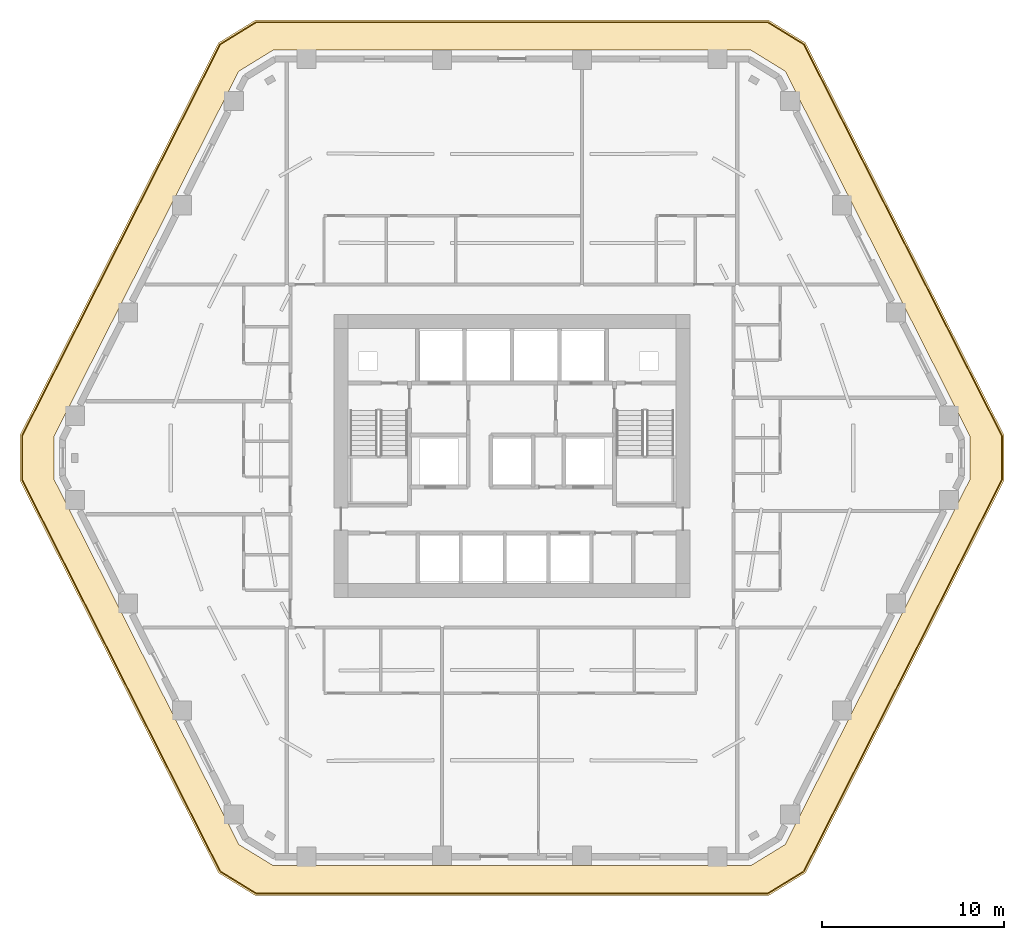
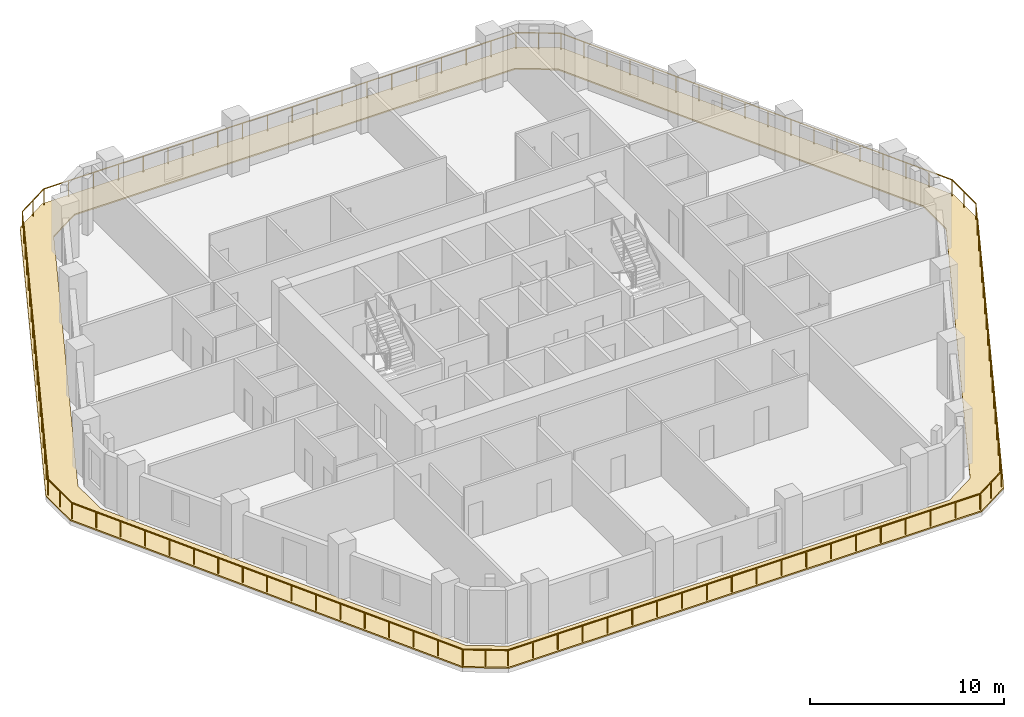
# One storey, part 9 of 10: 1 covering, 1 railing.
"""IFC4 building model written with IfcOpenShell, lengths in metres."""

from ifc_helpers import new_model, si_unit, direction, frame, origin, origin_2d, place, context, subcontext, project, spatial, polyline, rectangle, outline, extrude, material, layer, layer_set, type_object, element, save


model = new_model("IFC4")

# Units and contexts
model_context = context("Model", 3, precision=1e-05, world=origin(), true_north=direction((0.0, 1.0)))
body_context = subcontext(model_context, "Body", "Model", "MODEL_VIEW")
ifc_project = project(units=[si_unit("LENGTHUNIT", "METRE"), si_unit("AREAUNIT", "SQUARE_METRE"), si_unit("VOLUMEUNIT", "CUBIC_METRE"), si_unit("PLANEANGLEUNIT", "RADIAN"), si_unit("MASSUNIT", "GRAM", prefix="KILO")], contexts=[model_context])

# Site, building, storey
site_placement = place(None, origin())
site = spatial("IfcSite", under=ifc_project, at=site_placement, CompositionType="ELEMENT")
building_placement = place(site_placement, origin())
building = spatial("IfcBuilding", under=site, at=building_placement, Name="Cinnabar Lancet Tower", CompositionType="ELEMENT")
storey_placement = place(building_placement, frame((0.0, 0.0, 98.39990234375)))
storey = spatial("IfcBuildingStorey", under=building, at=storey_placement, Name="L25", CompositionType="ELEMENT", Elevation=98.39990234375)

# Covering
ifc_material_1 = material(Name="TPO single-ply insulated waterproof roofing membrane", Category="finish")
ifc_layer = layer(ifc_material_1, 0.0849609375)
ifc_layer_set = layer_set([ifc_layer], Name="TPO single-ply insulated waterproof roofing membrane")
covering_type = type_object("IfcCoveringType", Name="ARC-COV-ROOF-MEM", PredefinedType="ROOFING", material=ifc_layer_set)
covering_placement = place(storey_placement, origin())
element("IfcCovering", 1, at=covering_placement, inside=storey, type_object=covering_type, Name="L25 Insulated TPO Waterproof Roofing Membrane", PredefinedType="ROOFING", context=body_context, shape_type="SweptSolid", body=[
    extrude(outline(polyline([(16.31201171875, 3.049072265625), (18.343994140625, 1.800048828125), (46.4560546875, 1.800048828125), (48.488037109375, 3.049072265625), (59.367919921875, 24.551025390625), (59.367919921875, 27.049072265625), (48.488037109375, 48.551025390625), (46.4560546875, 49.800048828125), (18.343994140625, 49.800048828125), (16.31201171875, 48.551025390625), (5.431884765625, 27.049072265625), (5.431884765625, 24.551025390625), (16.31201171875, 3.049072265625)]), holes=[polyline([(17.4208984375, 4.610107421875), (19.30810546875, 3.449951171875), (45.491943359375, 3.449951171875), (47.37890625, 4.610107421875), (57.512939453125, 24.639892578125), (57.512939453125, 26.9599609375), (47.37890625, 46.989990234375), (45.491943359375, 48.14990234375), (19.30810546875, 48.14990234375), (17.4208984375, 46.989990234375), (7.287109375, 26.9599609375), (7.287109375, 24.639892578125), (17.4208984375, 4.610107421875)])]), origin(), (0.0, 0.0, 1.0), 0.085205078125),
])

# Railing
ifc_material_2 = material(Name="Laminated safety glass and bronze stainless steel balustrade", Category="steel")
railing_type = type_object("IfcRailingType", Name="ENV-RLG-BAL-1100", PredefinedType="BALUSTRADE", material=ifc_material_2)
railing_placement = place(storey_placement, frame((16.404052734375, 3.133056640625, 0.0)))
element("IfcRailing", 2, at=railing_placement, inside=storey, type_object=railing_type, Name="L25 Setback Roof Terrace Perimeter Balustrade", PredefinedType="BALUSTRADE", context=body_context, shape_type="SweptSolid", body=[
    extrude(rectangle(XDim=0.048095703125, YDim=0.048095703125, at=origin_2d()), frame((0.0, 0.0, 1.076171875), z_axis=(0.851958473604, -0.523609357494, 0.0), x_axis=(0.523609357494, 0.851958473604, 0.0)), (0.0, 0.0, 1.0), 2.31689453125),
    extrude(rectangle(XDim=0.048095703125, YDim=0.048095703125, at=origin_2d()), frame((1.973876953125, -1.213134765625, 1.076171875), z_axis=(1.0, 0.0, 0.0), x_axis=(0.0, 1.0, 0.0)), (0.0, 0.0, 1.0), 28.044189453125),
    extrude(rectangle(XDim=0.048095703125, YDim=0.048095703125, at=origin_2d()), frame((30.01806640625, -1.213134765625, 1.076171875), z_axis=(0.851958473604, 0.523609357494, 0.0), x_axis=(-0.523609357494, 0.851958473604, 0.0)), (0.0, 0.0, 1.0), 2.31689453125),
    extrude(rectangle(XDim=0.048095703125, YDim=0.048095703125, at=origin_2d()), frame((31.991943359375, 0.0, 1.076171875), z_axis=(0.451486684147, 0.892277856969, 0.0), x_axis=(-0.892277856969, 0.451486684147, 0.0)), (0.0, 0.0, 1.0), 24.036376953125),
    extrude(rectangle(XDim=0.048095703125, YDim=0.048095703125, at=origin_2d()), frame((42.843994140625, 21.447021484375, 1.076171875), z_axis=(0.0, 1.0, 0.0), x_axis=(-1.0, 0.0, 0.0)), (0.0, 0.0, 1.0), 2.43994140625),
    extrude(rectangle(XDim=0.048095703125, YDim=0.048095703125, at=origin_2d()), frame((42.843994140625, 23.886962890625, 1.076171875), z_axis=(-0.451486684147, 0.892277856969, 0.0), x_axis=(-0.892277856969, -0.451486684147, 0.0)), (0.0, 0.0, 1.0), 24.036376953125),
    extrude(rectangle(XDim=0.048095703125, YDim=0.048095703125, at=origin_2d()), frame((31.991943359375, 45.333984375, 1.076171875), z_axis=(-0.852005479947, 0.523532866342, 0.0), x_axis=(-0.523532866342, -0.852005479947, 0.0)), (0.0, 0.0, 1.0), 2.316650390625),
    extrude(rectangle(XDim=0.048095703125, YDim=0.048095703125, at=origin_2d()), frame((30.01806640625, 46.546875, 1.076171875), z_axis=(-1.0, 0.0, 0.0), x_axis=(0.0, -1.0, 0.0)), (0.0, 0.0, 1.0), 28.044189453125),
    extrude(rectangle(XDim=0.048095703125, YDim=0.048095703125, at=origin_2d()), frame((1.973876953125, 46.546875, 1.076171875), z_axis=(-0.852005479947, -0.523532866342, 0.0), x_axis=(0.523532866342, -0.852005479947, 0.0)), (0.0, 0.0, 1.0), 2.316650390625),
    extrude(rectangle(XDim=0.048095703125, YDim=0.048095703125, at=origin_2d()), frame((0.0, 45.333984375, 1.076171875), z_axis=(-0.451486684147, -0.892277856969, 0.0), x_axis=(0.892277856969, -0.451486684147, 0.0)), (0.0, 0.0, 1.0), 24.036376953125),
    extrude(rectangle(XDim=0.048095703125, YDim=0.048095703125, at=origin_2d()), frame((-10.85205078125, 23.886962890625, 1.076171875), z_axis=(0.0, -1.0, 0.0), x_axis=(1.0, 0.0, 0.0)), (0.0, 0.0, 1.0), 2.43994140625),
    extrude(rectangle(XDim=0.048095703125, YDim=0.048095703125, at=origin_2d()), frame((-10.85205078125, 21.447021484375, 1.076171875), z_axis=(0.451489770562, -0.892276295257, 0.0), x_axis=(0.892276295257, 0.451489770562, 0.0)), (0.0, 0.0, 1.0), 23.99609375),
    extrude(rectangle(XDim=0.0419921875, YDim=0.0419921875, at=origin_2d()), origin(), (0.0, 0.0, 1.0), 1.052001953125),
    extrude(rectangle(XDim=0.0419921875, YDim=0.0419921875, at=origin_2d()), frame((0.98681640625, -0.6064453125, 0.0)), (0.0, 0.0, 1.0), 1.052001953125),
    extrude(rectangle(XDim=0.0419921875, YDim=0.0419921875, at=origin_2d()), frame((1.973876953125, -1.213134765625, 0.0)), (0.0, 0.0, 1.0), 1.052001953125),
    extrude(rectangle(XDim=0.0419921875, YDim=0.0419921875, at=origin_2d()), frame((3.449951171875, -1.213134765625, 0.0)), (0.0, 0.0, 1.0), 1.052001953125),
    extrude(rectangle(XDim=0.0419921875, YDim=0.0419921875, at=origin_2d()), frame((4.92578125, -1.213134765625, 0.0)), (0.0, 0.0, 1.0), 1.052001953125),
    extrude(rectangle(XDim=0.0419921875, YDim=0.0419921875, at=origin_2d()), frame((6.40185546875, -1.213134765625, 0.0)), (0.0, 0.0, 1.0), 1.052001953125),
    extrude(rectangle(XDim=0.0419921875, YDim=0.0419921875, at=origin_2d()), frame((7.8779296875, -1.213134765625, 0.0)), (0.0, 0.0, 1.0), 1.052001953125),
    extrude(rectangle(XDim=0.0419921875, YDim=0.0419921875, at=origin_2d()), frame((9.35400390625, -1.213134765625, 0.0)), (0.0, 0.0, 1.0), 1.052001953125),
    extrude(rectangle(XDim=0.0419921875, YDim=0.0419921875, at=origin_2d()), frame((10.829833984375, -1.213134765625, 0.0)), (0.0, 0.0, 1.0), 1.052001953125),
    extrude(rectangle(XDim=0.0419921875, YDim=0.0419921875, at=origin_2d()), frame((12.305908203125, -1.213134765625, 0.0)), (0.0, 0.0, 1.0), 1.052001953125),
    extrude(rectangle(XDim=0.0419921875, YDim=0.0419921875, at=origin_2d()), frame((13.781982421875, -1.213134765625, 0.0)), (0.0, 0.0, 1.0), 1.052001953125),
    extrude(rectangle(XDim=0.0419921875, YDim=0.0419921875, at=origin_2d()), frame((15.258056640625, -1.213134765625, 0.0)), (0.0, 0.0, 1.0), 1.052001953125),
    extrude(rectangle(XDim=0.0419921875, YDim=0.0419921875, at=origin_2d()), frame((16.73388671875, -1.213134765625, 0.0)), (0.0, 0.0, 1.0), 1.052001953125),
    extrude(rectangle(XDim=0.0419921875, YDim=0.0419921875, at=origin_2d()), frame((18.2099609375, -1.213134765625, 0.0)), (0.0, 0.0, 1.0), 1.052001953125),
    extrude(rectangle(XDim=0.0419921875, YDim=0.0419921875, at=origin_2d()), frame((19.68603515625, -1.213134765625, 0.0)), (0.0, 0.0, 1.0), 1.052001953125),
    extrude(rectangle(XDim=0.0419921875, YDim=0.0419921875, at=origin_2d()), frame((21.162109375, -1.213134765625, 0.0)), (0.0, 0.0, 1.0), 1.052001953125),
    extrude(rectangle(XDim=0.0419921875, YDim=0.0419921875, at=origin_2d()), frame((22.637939453125, -1.213134765625, 0.0)), (0.0, 0.0, 1.0), 1.052001953125),
    extrude(rectangle(XDim=0.0419921875, YDim=0.0419921875, at=origin_2d()), frame((24.114013671875, -1.213134765625, 0.0)), (0.0, 0.0, 1.0), 1.052001953125),
    extrude(rectangle(XDim=0.0419921875, YDim=0.0419921875, at=origin_2d()), frame((25.590087890625, -1.213134765625, 0.0)), (0.0, 0.0, 1.0), 1.052001953125),
    extrude(rectangle(XDim=0.0419921875, YDim=0.0419921875, at=origin_2d()), frame((27.066162109375, -1.213134765625, 0.0)), (0.0, 0.0, 1.0), 1.052001953125),
    extrude(rectangle(XDim=0.0419921875, YDim=0.0419921875, at=origin_2d()), frame((28.5419921875, -1.213134765625, 0.0)), (0.0, 0.0, 1.0), 1.052001953125),
    extrude(rectangle(XDim=0.0419921875, YDim=0.0419921875, at=origin_2d()), frame((30.01806640625, -1.213134765625, 0.0)), (0.0, 0.0, 1.0), 1.052001953125),
    extrude(rectangle(XDim=0.0419921875, YDim=0.0419921875, at=origin_2d()), frame((31.0048828125, -0.6064453125, 0.0)), (0.0, 0.0, 1.0), 1.052001953125),
    extrude(rectangle(XDim=0.0419921875, YDim=0.0419921875, at=origin_2d()), frame((31.991943359375, 0.0, 0.0)), (0.0, 0.0, 1.0), 1.052001953125),
    extrude(rectangle(XDim=0.0419921875, YDim=0.0419921875, at=origin_2d()), frame((32.63037109375, 1.261474609375, 0.0)), (0.0, 0.0, 1.0), 1.052001953125),
    extrude(rectangle(XDim=0.0419921875, YDim=0.0419921875, at=origin_2d()), frame((33.2685546875, 2.523193359375, 0.0)), (0.0, 0.0, 1.0), 1.052001953125),
    extrude(rectangle(XDim=0.0419921875, YDim=0.0419921875, at=origin_2d()), frame((33.906982421875, 3.78466796875, 0.0)), (0.0, 0.0, 1.0), 1.052001953125),
    extrude(rectangle(XDim=0.0419921875, YDim=0.0419921875, at=origin_2d()), frame((34.54541015625, 5.04638671875, 0.0)), (0.0, 0.0, 1.0), 1.052001953125),
    extrude(rectangle(XDim=0.0419921875, YDim=0.0419921875, at=origin_2d()), frame((35.183837890625, 6.307861328125, 0.0)), (0.0, 0.0, 1.0), 1.052001953125),
    extrude(rectangle(XDim=0.0419921875, YDim=0.0419921875, at=origin_2d()), frame((35.822021484375, 7.569580078125, 0.0)), (0.0, 0.0, 1.0), 1.052001953125),
    extrude(rectangle(XDim=0.0419921875, YDim=0.0419921875, at=origin_2d()), frame((36.46044921875, 8.8310546875, 0.0)), (0.0, 0.0, 1.0), 1.052001953125),
    extrude(rectangle(XDim=0.0419921875, YDim=0.0419921875, at=origin_2d()), frame((37.098876953125, 10.0927734375, 0.0)), (0.0, 0.0, 1.0), 1.052001953125),
    extrude(rectangle(XDim=0.0419921875, YDim=0.0419921875, at=origin_2d()), frame((37.737060546875, 11.354248046875, 0.0)), (0.0, 0.0, 1.0), 1.052001953125),
    extrude(rectangle(XDim=0.0419921875, YDim=0.0419921875, at=origin_2d()), frame((38.37548828125, 12.615966796875, 0.0)), (0.0, 0.0, 1.0), 1.052001953125),
    extrude(rectangle(XDim=0.0419921875, YDim=0.0419921875, at=origin_2d()), frame((39.013916015625, 13.87744140625, 0.0)), (0.0, 0.0, 1.0), 1.052001953125),
    extrude(rectangle(XDim=0.0419921875, YDim=0.0419921875, at=origin_2d()), frame((39.652099609375, 15.13916015625, 0.0)), (0.0, 0.0, 1.0), 1.052001953125),
    extrude(rectangle(XDim=0.0419921875, YDim=0.0419921875, at=origin_2d()), frame((40.29052734375, 16.400634765625, 0.0)), (0.0, 0.0, 1.0), 1.052001953125),
    extrude(rectangle(XDim=0.0419921875, YDim=0.0419921875, at=origin_2d()), frame((40.928955078125, 17.662353515625, 0.0)), (0.0, 0.0, 1.0), 1.052001953125),
    extrude(rectangle(XDim=0.0419921875, YDim=0.0419921875, at=origin_2d()), frame((41.5673828125, 18.923828125, 0.0)), (0.0, 0.0, 1.0), 1.052001953125),
    extrude(rectangle(XDim=0.0419921875, YDim=0.0419921875, at=origin_2d()), frame((42.20556640625, 20.185546875, 0.0)), (0.0, 0.0, 1.0), 1.052001953125),
    extrude(rectangle(XDim=0.0419921875, YDim=0.0419921875, at=origin_2d()), frame((42.843994140625, 21.447021484375, 0.0)), (0.0, 0.0, 1.0), 1.052001953125),
    extrude(rectangle(XDim=0.0419921875, YDim=0.0419921875, at=origin_2d()), frame((42.843994140625, 22.6669921875, 0.0)), (0.0, 0.0, 1.0), 1.052001953125),
    extrude(rectangle(XDim=0.0419921875, YDim=0.0419921875, at=origin_2d()), frame((42.843994140625, 23.886962890625, 0.0)), (0.0, 0.0, 1.0), 1.052001953125),
    extrude(rectangle(XDim=0.0419921875, YDim=0.0419921875, at=origin_2d()), frame((42.20556640625, 25.1484375, 0.0)), (0.0, 0.0, 1.0), 1.052001953125),
    extrude(rectangle(XDim=0.0419921875, YDim=0.0419921875, at=origin_2d()), frame((41.5673828125, 26.41015625, 0.0)), (0.0, 0.0, 1.0), 1.052001953125),
    extrude(rectangle(XDim=0.0419921875, YDim=0.0419921875, at=origin_2d()), frame((40.928955078125, 27.671630859375, 0.0)), (0.0, 0.0, 1.0), 1.052001953125),
    extrude(rectangle(XDim=0.0419921875, YDim=0.0419921875, at=origin_2d()), frame((40.29052734375, 28.933349609375, 0.0)), (0.0, 0.0, 1.0), 1.052001953125),
    extrude(rectangle(XDim=0.0419921875, YDim=0.0419921875, at=origin_2d()), frame((39.652099609375, 30.19482421875, 0.0)), (0.0, 0.0, 1.0), 1.052001953125),
    extrude(rectangle(XDim=0.0419921875, YDim=0.0419921875, at=origin_2d()), frame((39.013916015625, 31.45654296875, 0.0)), (0.0, 0.0, 1.0), 1.052001953125),
    extrude(rectangle(XDim=0.0419921875, YDim=0.0419921875, at=origin_2d()), frame((38.37548828125, 32.718017578125, 0.0)), (0.0, 0.0, 1.0), 1.052001953125),
    extrude(rectangle(XDim=0.0419921875, YDim=0.0419921875, at=origin_2d()), frame((37.737060546875, 33.979736328125, 0.0)), (0.0, 0.0, 1.0), 1.052001953125),
    extrude(rectangle(XDim=0.0419921875, YDim=0.0419921875, at=origin_2d()), frame((37.098876953125, 35.2412109375, 0.0)), (0.0, 0.0, 1.0), 1.052001953125),
    extrude(rectangle(XDim=0.0419921875, YDim=0.0419921875, at=origin_2d()), frame((36.46044921875, 36.5029296875, 0.0)), (0.0, 0.0, 1.0), 1.052001953125),
    extrude(rectangle(XDim=0.0419921875, YDim=0.0419921875, at=origin_2d()), frame((35.822021484375, 37.764404296875, 0.0)), (0.0, 0.0, 1.0), 1.052001953125),
    extrude(rectangle(XDim=0.0419921875, YDim=0.0419921875, at=origin_2d()), frame((35.183837890625, 39.026123046875, 0.0)), (0.0, 0.0, 1.0), 1.052001953125),
    extrude(rectangle(XDim=0.0419921875, YDim=0.0419921875, at=origin_2d()), frame((34.54541015625, 40.28759765625, 0.0)), (0.0, 0.0, 1.0), 1.052001953125),
    extrude(rectangle(XDim=0.0419921875, YDim=0.0419921875, at=origin_2d()), frame((33.906982421875, 41.54931640625, 0.0)), (0.0, 0.0, 1.0), 1.052001953125),
    extrude(rectangle(XDim=0.0419921875, YDim=0.0419921875, at=origin_2d()), frame((33.2685546875, 42.810791015625, 0.0)), (0.0, 0.0, 1.0), 1.052001953125),
    extrude(rectangle(XDim=0.0419921875, YDim=0.0419921875, at=origin_2d()), frame((32.63037109375, 44.072509765625, 0.0)), (0.0, 0.0, 1.0), 1.052001953125),
    extrude(rectangle(XDim=0.0419921875, YDim=0.0419921875, at=origin_2d()), frame((31.991943359375, 45.333984375, 0.0)), (0.0, 0.0, 1.0), 1.052001953125),
    extrude(rectangle(XDim=0.0419921875, YDim=0.0419921875, at=origin_2d()), frame((31.0048828125, 45.9404296875, 0.0)), (0.0, 0.0, 1.0), 1.052001953125),
    extrude(rectangle(XDim=0.0419921875, YDim=0.0419921875, at=origin_2d()), frame((30.01806640625, 46.546875, 0.0)), (0.0, 0.0, 1.0), 1.052001953125),
    extrude(rectangle(XDim=0.0419921875, YDim=0.0419921875, at=origin_2d()), frame((28.5419921875, 46.546875, 0.0)), (0.0, 0.0, 1.0), 1.052001953125),
    extrude(rectangle(XDim=0.0419921875, YDim=0.0419921875, at=origin_2d()), frame((27.066162109375, 46.546875, 0.0)), (0.0, 0.0, 1.0), 1.052001953125),
    extrude(rectangle(XDim=0.0419921875, YDim=0.0419921875, at=origin_2d()), frame((25.590087890625, 46.546875, 0.0)), (0.0, 0.0, 1.0), 1.052001953125),
    extrude(rectangle(XDim=0.0419921875, YDim=0.0419921875, at=origin_2d()), frame((24.114013671875, 46.546875, 0.0)), (0.0, 0.0, 1.0), 1.052001953125),
    extrude(rectangle(XDim=0.0419921875, YDim=0.0419921875, at=origin_2d()), frame((22.637939453125, 46.546875, 0.0)), (0.0, 0.0, 1.0), 1.052001953125),
    extrude(rectangle(XDim=0.0419921875, YDim=0.0419921875, at=origin_2d()), frame((21.162109375, 46.546875, 0.0)), (0.0, 0.0, 1.0), 1.052001953125),
    extrude(rectangle(XDim=0.0419921875, YDim=0.0419921875, at=origin_2d()), frame((19.68603515625, 46.546875, 0.0)), (0.0, 0.0, 1.0), 1.052001953125),
    extrude(rectangle(XDim=0.0419921875, YDim=0.0419921875, at=origin_2d()), frame((18.2099609375, 46.546875, 0.0)), (0.0, 0.0, 1.0), 1.052001953125),
    extrude(rectangle(XDim=0.0419921875, YDim=0.0419921875, at=origin_2d()), frame((16.73388671875, 46.546875, 0.0)), (0.0, 0.0, 1.0), 1.052001953125),
    extrude(rectangle(XDim=0.0419921875, YDim=0.0419921875, at=origin_2d()), frame((15.258056640625, 46.546875, 0.0)), (0.0, 0.0, 1.0), 1.052001953125),
    extrude(rectangle(XDim=0.0419921875, YDim=0.0419921875, at=origin_2d()), frame((13.781982421875, 46.546875, 0.0)), (0.0, 0.0, 1.0), 1.052001953125),
    extrude(rectangle(XDim=0.0419921875, YDim=0.0419921875, at=origin_2d()), frame((12.305908203125, 46.546875, 0.0)), (0.0, 0.0, 1.0), 1.052001953125),
    extrude(rectangle(XDim=0.0419921875, YDim=0.0419921875, at=origin_2d()), frame((10.829833984375, 46.546875, 0.0)), (0.0, 0.0, 1.0), 1.052001953125),
    extrude(rectangle(XDim=0.0419921875, YDim=0.0419921875, at=origin_2d()), frame((9.35400390625, 46.546875, 0.0)), (0.0, 0.0, 1.0), 1.052001953125),
    extrude(rectangle(XDim=0.0419921875, YDim=0.0419921875, at=origin_2d()), frame((7.8779296875, 46.546875, 0.0)), (0.0, 0.0, 1.0), 1.052001953125),
    extrude(rectangle(XDim=0.0419921875, YDim=0.0419921875, at=origin_2d()), frame((6.40185546875, 46.546875, 0.0)), (0.0, 0.0, 1.0), 1.052001953125),
    extrude(rectangle(XDim=0.0419921875, YDim=0.0419921875, at=origin_2d()), frame((4.92578125, 46.546875, 0.0)), (0.0, 0.0, 1.0), 1.052001953125),
    extrude(rectangle(XDim=0.0419921875, YDim=0.0419921875, at=origin_2d()), frame((3.449951171875, 46.546875, 0.0)), (0.0, 0.0, 1.0), 1.052001953125),
    extrude(rectangle(XDim=0.0419921875, YDim=0.0419921875, at=origin_2d()), frame((1.973876953125, 46.546875, 0.0)), (0.0, 0.0, 1.0), 1.052001953125),
    extrude(rectangle(XDim=0.0419921875, YDim=0.0419921875, at=origin_2d()), frame((0.98681640625, 45.9404296875, 0.0)), (0.0, 0.0, 1.0), 1.052001953125),
    extrude(rectangle(XDim=0.0419921875, YDim=0.0419921875, at=origin_2d()), frame((0.0, 45.333984375, 0.0)), (0.0, 0.0, 1.0), 1.052001953125),
    extrude(rectangle(XDim=0.0419921875, YDim=0.0419921875, at=origin_2d()), frame((-0.638427734375, 44.072509765625, 0.0)), (0.0, 0.0, 1.0), 1.052001953125),
    extrude(rectangle(XDim=0.0419921875, YDim=0.0419921875, at=origin_2d()), frame((-1.276611328125, 42.810791015625, 0.0)), (0.0, 0.0, 1.0), 1.052001953125),
    extrude(rectangle(XDim=0.0419921875, YDim=0.0419921875, at=origin_2d()), frame((-1.9150390625, 41.54931640625, 0.0)), (0.0, 0.0, 1.0), 1.052001953125),
    extrude(rectangle(XDim=0.0419921875, YDim=0.0419921875, at=origin_2d()), frame((-2.553466796875, 40.28759765625, 0.0)), (0.0, 0.0, 1.0), 1.052001953125),
    extrude(rectangle(XDim=0.0419921875, YDim=0.0419921875, at=origin_2d()), frame((-3.19189453125, 39.026123046875, 0.0)), (0.0, 0.0, 1.0), 1.052001953125),
    extrude(rectangle(XDim=0.0419921875, YDim=0.0419921875, at=origin_2d()), frame((-3.830078125, 37.764404296875, 0.0)), (0.0, 0.0, 1.0), 1.052001953125),
    extrude(rectangle(XDim=0.0419921875, YDim=0.0419921875, at=origin_2d()), frame((-4.468505859375, 36.5029296875, 0.0)), (0.0, 0.0, 1.0), 1.052001953125),
    extrude(rectangle(XDim=0.0419921875, YDim=0.0419921875, at=origin_2d()), frame((-5.10693359375, 35.2412109375, 0.0)), (0.0, 0.0, 1.0), 1.052001953125),
    extrude(rectangle(XDim=0.0419921875, YDim=0.0419921875, at=origin_2d()), frame((-5.7451171875, 33.979736328125, 0.0)), (0.0, 0.0, 1.0), 1.052001953125),
    extrude(rectangle(XDim=0.0419921875, YDim=0.0419921875, at=origin_2d()), frame((-6.383544921875, 32.718017578125, 0.0)), (0.0, 0.0, 1.0), 1.052001953125),
    extrude(rectangle(XDim=0.0419921875, YDim=0.0419921875, at=origin_2d()), frame((-7.02197265625, 31.45654296875, 0.0)), (0.0, 0.0, 1.0), 1.052001953125),
    extrude(rectangle(XDim=0.0419921875, YDim=0.0419921875, at=origin_2d()), frame((-7.66015625, 30.19482421875, 0.0)), (0.0, 0.0, 1.0), 1.052001953125),
    extrude(rectangle(XDim=0.0419921875, YDim=0.0419921875, at=origin_2d()), frame((-8.298583984375, 28.933349609375, 0.0)), (0.0, 0.0, 1.0), 1.052001953125),
    extrude(rectangle(XDim=0.0419921875, YDim=0.0419921875, at=origin_2d()), frame((-8.93701171875, 27.671630859375, 0.0)), (0.0, 0.0, 1.0), 1.052001953125),
    extrude(rectangle(XDim=0.0419921875, YDim=0.0419921875, at=origin_2d()), frame((-9.575439453125, 26.41015625, 0.0)), (0.0, 0.0, 1.0), 1.052001953125),
    extrude(rectangle(XDim=0.0419921875, YDim=0.0419921875, at=origin_2d()), frame((-10.213623046875, 25.1484375, 0.0)), (0.0, 0.0, 1.0), 1.052001953125),
    extrude(rectangle(XDim=0.0419921875, YDim=0.0419921875, at=origin_2d()), frame((-10.85205078125, 23.886962890625, 0.0)), (0.0, 0.0, 1.0), 1.052001953125),
    extrude(rectangle(XDim=0.0419921875, YDim=0.0419921875, at=origin_2d()), frame((-10.85205078125, 22.6669921875, 0.0)), (0.0, 0.0, 1.0), 1.052001953125),
    extrude(rectangle(XDim=0.0419921875, YDim=0.0419921875, at=origin_2d()), frame((-10.85205078125, 21.447021484375, 0.0)), (0.0, 0.0, 1.0), 1.052001953125),
    extrude(rectangle(XDim=0.0419921875, YDim=0.0419921875, at=origin_2d()), frame((-10.1748046875, 20.10888671875, 0.0)), (0.0, 0.0, 1.0), 1.052001953125),
    extrude(rectangle(XDim=0.0419921875, YDim=0.0419921875, at=origin_2d()), frame((-9.497802734375, 18.7705078125, 0.0)), (0.0, 0.0, 1.0), 1.052001953125),
    extrude(rectangle(XDim=0.0419921875, YDim=0.0419921875, at=origin_2d()), frame((-8.82080078125, 17.432373046875, 0.0)), (0.0, 0.0, 1.0), 1.052001953125),
    extrude(rectangle(XDim=0.0419921875, YDim=0.0419921875, at=origin_2d()), frame((-8.1435546875, 16.09423828125, 0.0)), (0.0, 0.0, 1.0), 1.052001953125),
    extrude(rectangle(XDim=0.0419921875, YDim=0.0419921875, at=origin_2d()), frame((-7.46630859375, 14.756103515625, 0.0)), (0.0, 0.0, 1.0), 1.052001953125),
    extrude(rectangle(XDim=0.0419921875, YDim=0.0419921875, at=origin_2d()), frame((-6.789306640625, 13.41796875, 0.0)), (0.0, 0.0, 1.0), 1.052001953125),
    extrude(rectangle(XDim=0.0419921875, YDim=0.0419921875, at=origin_2d()), frame((-6.1123046875, 12.07958984375, 0.0)), (0.0, 0.0, 1.0), 1.052001953125),
    extrude(rectangle(XDim=0.0419921875, YDim=0.0419921875, at=origin_2d()), frame((-5.43505859375, 10.741455078125, 0.0)), (0.0, 0.0, 1.0), 1.052001953125),
    extrude(rectangle(XDim=0.0419921875, YDim=0.0419921875, at=origin_2d()), frame((-4.7578125, 9.4033203125, 0.0)), (0.0, 0.0, 1.0), 1.052001953125),
    extrude(rectangle(XDim=0.0419921875, YDim=0.0419921875, at=origin_2d()), frame((-4.080810546875, 8.06494140625, 0.0)), (0.0, 0.0, 1.0), 1.052001953125),
    extrude(rectangle(XDim=0.0419921875, YDim=0.0419921875, at=origin_2d()), frame((-3.40380859375, 6.726806640625, 0.0)), (0.0, 0.0, 1.0), 1.052001953125),
    extrude(rectangle(XDim=0.0419921875, YDim=0.0419921875, at=origin_2d()), frame((-2.7265625, 5.388671875, 0.0)), (0.0, 0.0, 1.0), 1.052001953125),
    extrude(rectangle(XDim=0.0419921875, YDim=0.0419921875, at=origin_2d()), frame((-2.04931640625, 4.050537109375, 0.0)), (0.0, 0.0, 1.0), 1.052001953125),
    extrude(rectangle(XDim=0.0419921875, YDim=0.0419921875, at=origin_2d()), frame((-1.372314453125, 2.71240234375, 0.0)), (0.0, 0.0, 1.0), 1.052001953125),
    extrude(rectangle(XDim=0.0419921875, YDim=0.0419921875, at=origin_2d()), frame((-0.6953125, 1.3740234375, 0.0)), (0.0, 0.0, 1.0), 1.052001953125),
    extrude(rectangle(XDim=0.0419921875, YDim=0.0419921875, at=origin_2d()), frame((-0.01806640625, 0.035888671875, 0.0)), (0.0, 0.0, 1.0), 1.052001953125),
])

save(model, "model.ifc")
